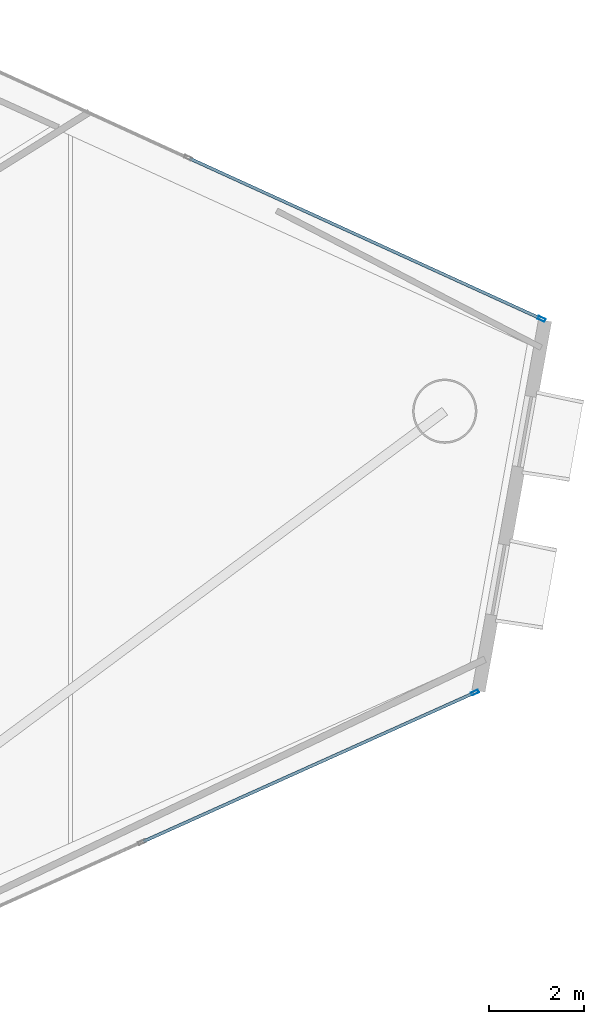
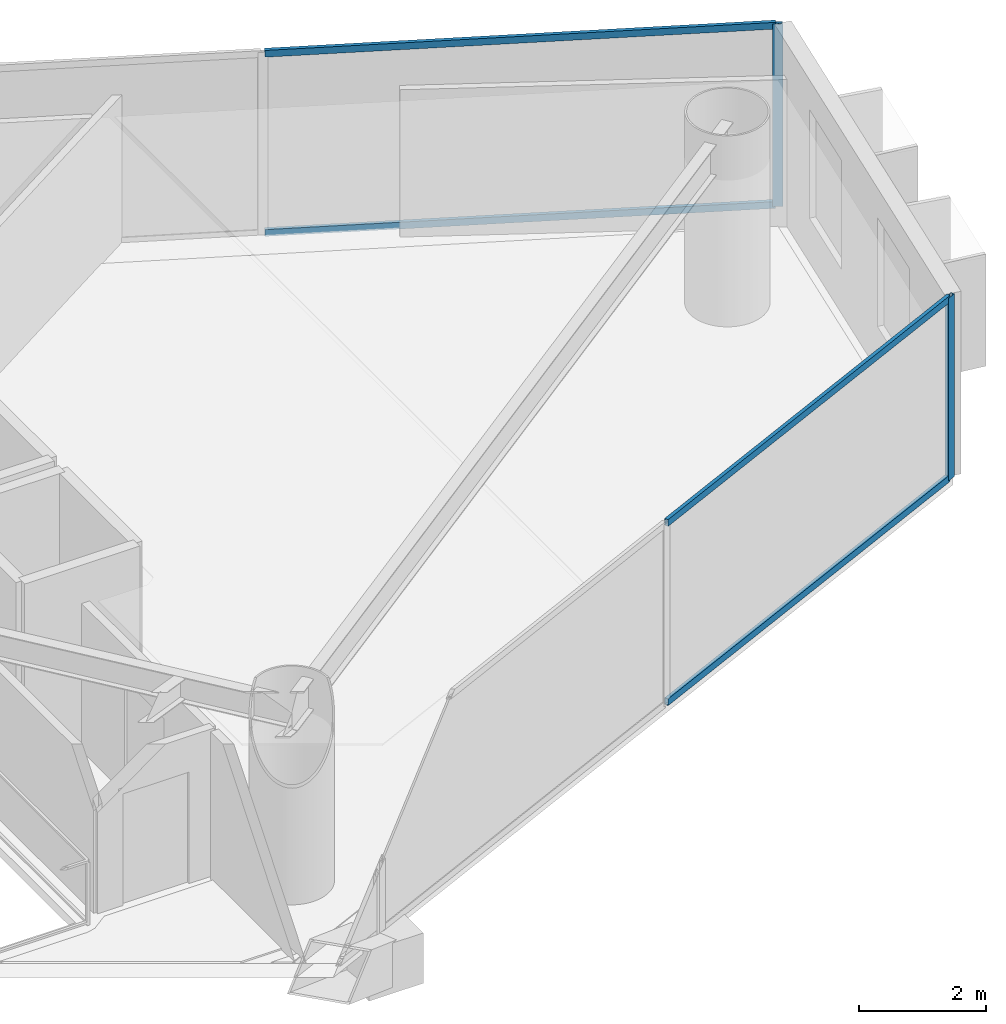
# One storey, part 15 of 23: 6 members, 2 elements without a shape of their own.
"""IFC4 building model written with IfcOpenShell, lengths in metres."""

import ifcopenshell
import ifcopenshell.guid

model = None  # the IFC model being written
_history = None  # IfcOwnerHistory: only IFC2X3 demands one
_inside = {}  # id of a spatial element -> (the spatial element, [elements in it])
_under = {}  # id of a project, library or spatial element -> (it, [spatial elements below it])
_declared = {}  # id of a project -> (the project, [libraries it declares])
_typed = {}  # id of a type object -> (the type object, [elements of that type])
_made_of = {}  # id of a material, layer set ... -> (it, [elements and type objects made of it])


def new_model(schema):
    """Start an empty IFC model of exactly this schema.

    Asked for "IFC4X3", IfcOpenShell would pick the latest addendum, in which some entities
    have other attributes; the version numbers below select the first issue.
    IFC2X3 requires an IfcOwnerHistory on every rooted entity: one is made here for all.
    """
    global model, _history
    if schema == "IFC4X3":
        model = ifcopenshell.file(schema_version=(4, 3, 0, 0))
    else:
        model = ifcopenshell.file(schema=schema)
    _inside.clear()
    _under.clear()
    _declared.clear()
    _typed.clear()
    _made_of.clear()
    _history = None
    if model.schema == "IFC2X3":
        org = make("IfcOrganization", Name="unknown")
        user = make(
            "IfcPersonAndOrganization",
            ThePerson=make("IfcPerson", FamilyName="unknown"),
            TheOrganization=org,
        )
        app = make(
            "IfcApplication",
            ApplicationDeveloper=org,
            Version="unknown",
            ApplicationFullName="unknown",
            ApplicationIdentifier="unknown",
        )
        _history = make(
            "IfcOwnerHistory",
            OwningUser=user,
            OwningApplication=app,
            ChangeAction="ADDED",
            CreationDate=0,
        )
    return model


def make(cls, **values):
    """One entity of the class cls with the attributes given. An attribute that is None is left unset."""
    return model.create_entity(
        cls, **{name: value for name, value in values.items() if value is not None}
    )


def rooted(cls, **values):
    """An entity with a GlobalId (a new one), such as an element, a storey or a relation."""
    return make(cls, GlobalId=ifcopenshell.guid.new(), OwnerHistory=_history, **values)


def si_unit(unit_type, name, prefix=None):
    """IfcSIUnit, for example si_unit("LENGTHUNIT", "METRE", prefix="MILLI")."""
    return make("IfcSIUnit", UnitType=unit_type, Prefix=prefix, Name=name)


def assignment(units):
    """IfcUnitAssignment: the units of a project."""
    return None if units is None else make("IfcUnitAssignment", Units=units)


def point(xyz):
    """IfcCartesianPoint."""
    return None if xyz is None else make("IfcCartesianPoint", Coordinates=xyz)


def direction(xyz):
    """IfcDirection."""
    return None if xyz is None else make("IfcDirection", DirectionRatios=xyz)


def frame(location, z_axis=None, x_axis=None):
    """IfcAxis2Placement3D, a coordinate frame: its origin and axes. An axis left out is left unset."""
    return make(
        "IfcAxis2Placement3D",
        Location=point(location),
        Axis=direction(z_axis),
        RefDirection=direction(x_axis),
    )


def frame_2d(location, x_axis=None):
    """IfcAxis2Placement2D, a coordinate frame in the plane: its origin and x axis."""
    return make(
        "IfcAxis2Placement2D", Location=point(location), RefDirection=direction(x_axis)
    )


def origin():
    """The frame at (0, 0, 0) with its axes left unset."""
    return frame((0.0, 0.0, 0.0))


def origin_2d():
    """The frame at (0, 0) in the plane with its x axis left unset."""
    return frame_2d((0.0, 0.0))


def place(relative_to, where):
    """IfcLocalPlacement: puts the frame where relative to a parent placement (None: the world)."""
    return make(
        "IfcLocalPlacement", PlacementRelTo=relative_to, RelativePlacement=where
    )


def context(
    kind, dimensions, precision=None, world=None, true_north=None, identifier=None
):
    """IfcGeometricRepresentationContext, for example the 3D "Model" context."""
    return make(
        "IfcGeometricRepresentationContext",
        ContextIdentifier=identifier,
        ContextType=kind,
        CoordinateSpaceDimension=dimensions,
        Precision=precision,
        WorldCoordinateSystem=world,
        TrueNorth=true_north,
    )


def subcontext(parent, identifier, kind, view, scale=None):
    """IfcGeometricRepresentationSubContext, for example "Body" below "Model"."""
    return make(
        "IfcGeometricRepresentationSubContext",
        ContextIdentifier=identifier,
        ContextType=kind,
        ParentContext=parent,
        TargetScale=scale,
        TargetView=view,
    )


def project(units=None, contexts=None):
    """IfcProject with its units and contexts."""
    return rooted(
        "IfcProject",
        Name="project",
        RepresentationContexts=contexts,
        UnitsInContext=assignment(units),
    )


def spatial(cls, under=None, at=None, **own):
    """A site, building, storey or space (cls), placed at a placement, below another one or the project."""
    s = rooted(cls, ObjectPlacement=at, **own)
    if under is not None:
        _under.setdefault(under.id(), (under, []))[1].append(s)
    return s


def profile(cls, at=None, kind="AREA", **sizes):
    """A parametric profile (cls). Its sizes go by their IFC names, for example OverallWidth=200.0."""
    return make(cls, ProfileType=kind, Position=at, **sizes)


def hollow_rectangle(**sizes):
    """IfcRectangleHollowProfileDef."""
    return profile("IfcRectangleHollowProfileDef", **sizes)


def extrude(swept, where, along, depth):
    """IfcExtrudedAreaSolid: the profile swept, set in the frame where, extruded along a direction by depth."""
    return make(
        "IfcExtrudedAreaSolid",
        SweptArea=swept,
        Position=where,
        ExtrudedDirection=direction(along),
        Depth=depth,
    )


def shape(context_of_items, identifier, shape_type, items):
    """IfcShapeRepresentation: the items that make up one representation, for example the "Body"."""
    return make(
        "IfcShapeRepresentation",
        ContextOfItems=context_of_items,
        RepresentationIdentifier=identifier,
        RepresentationType=shape_type,
        Items=items,
    )


def material(Name=None, Category=None):
    """IfcMaterial."""
    return make("IfcMaterial", Name=Name, Category=Category)


def layer(
    of_material, thickness, ventilated=None, Name=None, Category=None, Priority=None
):
    """IfcMaterialLayer: one layer of a wall or slab, of a material (None: an air gap)."""
    return make(
        "IfcMaterialLayer",
        Material=of_material,
        LayerThickness=thickness,
        IsVentilated=ventilated,
        Name=Name,
        Category=Category,
        Priority=Priority,
    )


def layer_set(layers, Name=None):
    """IfcMaterialLayerSet."""
    return make("IfcMaterialLayerSet", MaterialLayers=layers, LayerSetName=Name)


def material_profile(
    of_material, cross_section, Name=None, Category=None, Priority=None
):
    """IfcMaterialProfile: a cross section and its material."""
    return make(
        "IfcMaterialProfile",
        Name=Name,
        Material=of_material,
        Profile=cross_section,
        Priority=Priority,
        Category=Category,
    )


def profile_set(profiles, Name=None, composite=None):
    """IfcMaterialProfileSet."""
    return make(
        "IfcMaterialProfileSet",
        Name=Name,
        MaterialProfiles=profiles,
        CompositeProfile=composite,
    )


def made_of(thing, what):
    """Note that an element or type object is made of a material, layer set ...; save() writes the relation."""
    if what is not None:
        _made_of.setdefault(what.id(), (what, []))[1].append(thing)
    return thing


def type_object(cls, material=None, **own):
    """A type object (cls), such as IfcWallType, which elements share."""
    return made_of(rooted(cls, **own), material)


def element(
    cls,
    number,
    at=None,
    inside=None,
    cuts=None,
    type_object=None,
    material=None,
    context=None,
    identifier="Body",
    shape_type=None,
    held_by="IfcProductDefinitionShape",
    body=None,
    shapes=None,
    **own,
):
    """One element of the class cls, such as IfcWall. Its Tag is "e" and its number.

    at: its placement. inside: the storey or other place that contains it. cuts: it is an
    opening in that element (IfcRelVoidsElement). A single representation is given by context,
    identifier, shape_type and body (its items); several are given by shapes. held_by: the class
    of the entity that holds the representations. save() writes the other relations.
    """
    e = rooted(cls, Tag="e%d" % number, ObjectPlacement=at, **own)
    if body is not None:
        shapes = [shape(context, identifier, shape_type, body)]
    if shapes is not None:
        e.Representation = make(held_by, Representations=shapes)
    if inside is not None:
        _inside.setdefault(inside.id(), (inside, []))[1].append(e)
    if cuts is not None:
        rooted(
            "IfcRelVoidsElement", RelatingBuildingElement=cuts, RelatedOpeningElement=e
        )
    if type_object is not None:
        _typed.setdefault(type_object.id(), (type_object, []))[1].append(e)
    return made_of(e, material)


def aggregate(whole, parts):
    """IfcRelAggregates: a whole, such as a stair, and the parts it consists of."""
    return rooted("IfcRelAggregates", RelatingObject=whole, RelatedObjects=parts)


def save(model, path):
    """Write the relations noted so far, then the file.

    IfcRelAggregates (storeys below a building ...), IfcRelContainedInSpatialStructure (elements
    in a storey), IfcRelDefinesByType, IfcRelAssociatesMaterial and IfcRelDeclares: one each for
    every whole, place, type object, material and project.
    """
    for whole, parts in _under.values():
        aggregate(whole, parts)
    for where, things in _inside.values():
        rooted(
            "IfcRelContainedInSpatialStructure",
            RelatedElements=things,
            RelatingStructure=where,
        )
    for kind, things in _typed.values():
        rooted("IfcRelDefinesByType", RelatedObjects=things, RelatingType=kind)
    for what, things in _made_of.values():
        rooted("IfcRelAssociatesMaterial", RelatedObjects=things, RelatingMaterial=what)
    for by, libraries in _declared.values():
        rooted("IfcRelDeclares", RelatingContext=by, RelatedDefinitions=libraries)
    model.write(path)


model = new_model("IFC4")

# Units and contexts
model_context = context("Model", 3, precision=1e-05, world=origin(), true_north=direction((0.0, 1.0)))
body_context = subcontext(model_context, "Body", "Model", "MODEL_VIEW")
ifc_project = project(units=[si_unit("LENGTHUNIT", "METRE"), si_unit("AREAUNIT", "SQUARE_METRE"), si_unit("VOLUMEUNIT", "CUBIC_METRE"), si_unit("PLANEANGLEUNIT", "RADIAN"), si_unit("MASSUNIT", "GRAM", prefix="KILO")], contexts=[model_context])

# Site, building, storey
site_placement = place(None, origin())
site = spatial("IfcSite", under=ifc_project, at=site_placement, CompositionType="ELEMENT")
building_placement = place(site_placement, origin())
building = spatial("IfcBuilding", under=site, at=building_placement, Name="Qianvela Tower", CompositionType="ELEMENT")
storey_placement = place(building_placement, frame((0.0, 0.0, 147.60009765625)))
storey = spatial("IfcBuildingStorey", under=building, at=storey_placement, Name="L37", CompositionType="ELEMENT", Elevation=147.60009765625)

# Curtain wall, member
ifc_material_1 = material(Name="Anodised Architectural Aluminium and Low-E Glass", Category="aluminium")
ifc_layer = layer(ifc_material_1, 0.169921875)
ifc_layer_set = layer_set([ifc_layer], Name="Anodised Architectural Aluminium and Low-E Glass")
curtain_wall_type = type_object("IfcCurtainWallType", Name="CW-COLIV-Z34", PredefinedType="USERDEFINED", material=ifc_layer_set)
curtain_wall_1_placement = place(storey_placement, origin())
curtain_wall_1 = element("IfcCurtainWall", 1, at=curtain_wall_1_placement, inside=storey, type_object=curtain_wall_type, Name="L37 CW-COLIV-Z34 Curtain Wall 02A", ObjectType="CURTAIN_WALL_SYSTEM", PredefinedType="USERDEFINED")
ifc_material_2 = material(Name="Anodised Architectural Aluminium 6063-T6", Category="aluminium")
ifc_material_profile_1 = material_profile(ifc_material_2, hollow_rectangle(XDim=0.06494140625, YDim=0.159912109375, WallThickness=0.0048828125, at=origin_2d()), Name="ALU-MULL-65x160")
ifc_profile_set_1 = profile_set([ifc_material_profile_1], Name="Anodised Architectural Aluminium 6063-T6")
member_type_1 = type_object("IfcMemberType", Name="CW-COLIV-Z34-MULL", PredefinedType="MULLION", material=ifc_profile_set_1)
member_1_placement = place(storey_placement, frame((59.4697265625, 29.558349609375, 0.0), z_axis=(0.0, 0.0, 1.0), x_axis=(-0.414902458618, -0.90986589662, 0.0)))
member_1 = element("IfcMember", 2, at=member_1_placement, type_object=member_type_1, Name="CW-4 mullion 1", PredefinedType="MULLION", context=body_context, shape_type="SweptSolid", body=[
    extrude(hollow_rectangle(XDim=0.06494140625, YDim=0.159912109375, WallThickness=0.0048828125, at=origin_2d()), origin(), (0.0, 0.0, 1.0), 3.52001953125),
])

curtain_wall_2_placement = place(storey_placement, origin())
curtain_wall_2 = element("IfcCurtainWall", 3, at=curtain_wall_2_placement, inside=storey, type_object=curtain_wall_type, Name="L37 CW-COLIV-Z34 Curtain Wall 06B", ObjectType="CURTAIN_WALL_SYSTEM", PredefinedType="USERDEFINED")
member_2_placement = place(storey_placement, frame((58.070068359375, 21.698974609375, 0.0), z_axis=(0.0, 0.0, 1.0), x_axis=(-0.409810777016, 0.912170558088, 0.0)))
member_2 = element("IfcMember", 4, at=member_2_placement, type_object=member_type_1, Name="CW-4 mullion 3", PredefinedType="MULLION", context=body_context, shape_type="SweptSolid", body=[
    extrude(hollow_rectangle(XDim=0.06494140625, YDim=0.159912109375, WallThickness=0.0048828125, at=origin_2d()), origin(), (0.0, 0.0, 1.0), 3.52001953125),
])

# Member
ifc_material_3 = material(Name="Anodised Architectural Aluminium 6063-T6", Category="aluminium")
ifc_material_profile_2 = material_profile(ifc_material_3, hollow_rectangle(XDim=0.06494140625, YDim=0.1298828125, WallThickness=0.00439453125, at=origin_2d()), Name="ALU-TRAN-65x130")
ifc_profile_set_2 = profile_set([ifc_material_profile_2], Name="Anodised Architectural Aluminium 6063-T6")
member_type_2 = type_object("IfcMemberType", Name="CW-COLIV-Z34-TRAN", PredefinedType="USERDEFINED", material=ifc_profile_set_2)
member_3_placement = place(storey_placement, frame((59.440185546875, 29.57177734375, 0.032470703125), z_axis=(-0.909865348388, 0.41490366087, 0.0), x_axis=(-0.41490366087, -0.909865348388, 0.0)))
member_3 = element("IfcMember", 5, at=member_3_placement, type_object=member_type_2, Name="CW-4 transom 1.1", ObjectType="TRANSOM", PredefinedType="USERDEFINED", context=body_context, shape_type="SweptSolid", body=[
    extrude(hollow_rectangle(XDim=0.06494140625, YDim=0.1298828125, WallThickness=0.00439453125, at=origin_2d()), origin(), (0.0, 0.0, 1.0), 8.1025390625),
])

member_4_placement = place(storey_placement, frame((59.440185546875, 29.57177734375, 3.4873046875), z_axis=(-0.909865348388, 0.41490366087, 0.0), x_axis=(-0.41490366087, -0.909865348388, 0.0)))
member_4 = element("IfcMember", 6, at=member_4_placement, type_object=member_type_2, Name="CW-4 transom 1.2", ObjectType="TRANSOM", PredefinedType="USERDEFINED", context=body_context, shape_type="SweptSolid", body=[
    extrude(hollow_rectangle(XDim=0.06494140625, YDim=0.1298828125, WallThickness=0.00439453125, at=origin_2d()), origin(), (0.0, 0.0, 1.0), 8.1025390625),
])

aggregate(curtain_wall_1, [member_1, member_3, member_4])

member_5_placement = place(storey_placement, frame((51.095947265625, 18.56591796875, 0.032470703125), z_axis=(0.912176340281, 0.409797906572, 0.0), x_axis=(-0.409797906572, 0.912176340281, 0.0)))
member_5 = element("IfcMember", 7, at=member_5_placement, type_object=member_type_2, Name="CW-4 transom 2.1", ObjectType="TRANSOM", PredefinedType="USERDEFINED", context=body_context, shape_type="SweptSolid", body=[
    extrude(hollow_rectangle(XDim=0.06494140625, YDim=0.1298828125, WallThickness=0.00439453125, at=origin_2d()), origin(), (0.0, 0.0, 1.0), 7.61328125),
])

member_6_placement = place(storey_placement, frame((51.095947265625, 18.56591796875, 3.4873046875), z_axis=(0.912176340281, 0.409797906572, 0.0), x_axis=(-0.409797906572, 0.912176340281, 0.0)))
member_6 = element("IfcMember", 8, at=member_6_placement, type_object=member_type_2, Name="CW-4 transom 2.2", ObjectType="TRANSOM", PredefinedType="USERDEFINED", context=body_context, shape_type="SweptSolid", body=[
    extrude(hollow_rectangle(XDim=0.06494140625, YDim=0.1298828125, WallThickness=0.00439453125, at=origin_2d()), origin(), (0.0, 0.0, 1.0), 7.61328125),
])

aggregate(curtain_wall_2, [member_2, member_5, member_6])

save(model, "model.ifc")
